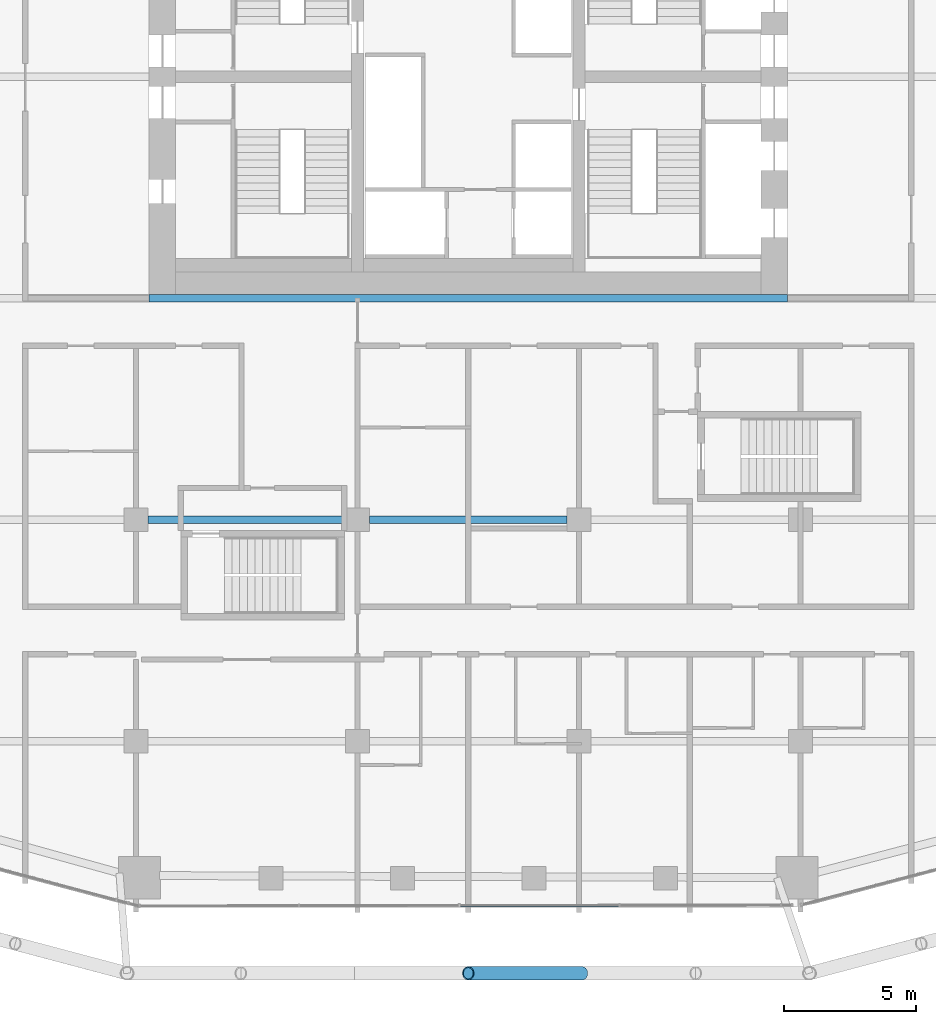
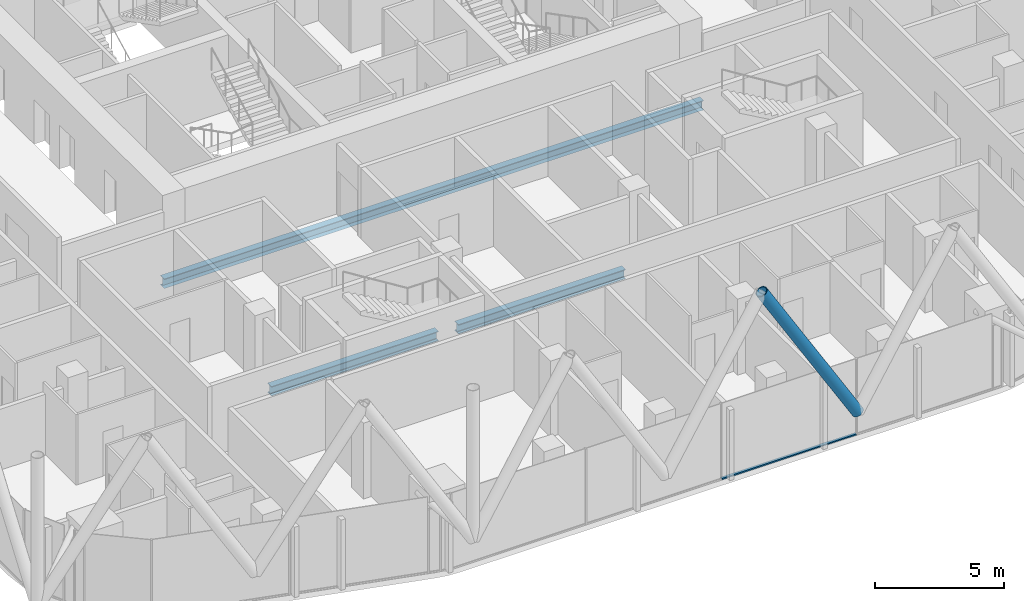
# One storey, part 5 of 33: 3 beams, 2 members, 1 element without a shape of its own.
"""IFC4 building model written with IfcOpenShell, lengths in metres."""

from ifc_helpers import new_model, si_unit, direction, frame, origin, origin_2d, place, context, subcontext, project, spatial, rectangle, hollow_circle, i_section, extrude, material, layer, layer_set, material_profile, profile_set, type_object, element, aggregate, save


model = new_model("IFC4")

# Units and contexts
model_context = context("Model", 3, precision=1e-05, world=origin(), true_north=direction((0.0, 1.0)))
body_context = subcontext(model_context, "Body", "Model", "MODEL_VIEW")
ifc_project = project(units=[si_unit("LENGTHUNIT", "METRE"), si_unit("AREAUNIT", "SQUARE_METRE"), si_unit("VOLUMEUNIT", "CUBIC_METRE"), si_unit("PLANEANGLEUNIT", "RADIAN"), si_unit("MASSUNIT", "GRAM", prefix="KILO")], contexts=[model_context])

# Site, building, storey
site_placement = place(None, origin())
site = spatial("IfcSite", under=ifc_project, at=site_placement, CompositionType="ELEMENT")
building_placement = place(site_placement, origin())
building = spatial("IfcBuilding", under=site, at=building_placement, Name="Marenta Gate Hotel Tower", CompositionType="ELEMENT")
storey_placement = place(building_placement, frame((0.0, 0.0, 137.300048828125)))
storey = spatial("IfcBuildingStorey", under=building, at=storey_placement, Name="L31", CompositionType="ELEMENT", Elevation=137.300048828125)

# Member
ifc_material_1 = material(Name="Steel S355J2W", Category="steel")
ifc_material_profile_1 = material_profile(ifc_material_1, hollow_circle(Radius=0.25390625, WallThickness=0.0400390625, at=origin_2d()), Name="CHS 508x40")
ifc_profile_set_1 = profile_set([ifc_material_profile_1], Name="Steel S355J2W")
member_type_1 = type_object("IfcMemberType", Name="Diagrid diagonal Z2 CHS 508x40", PredefinedType="BRACE", material=ifc_profile_set_1)
member_1_placement = place(storey_placement, frame((4.31298828125, -25.60009765625, 3.139892578125), z_axis=(-0.513883902774, 0.0, 0.857859740558), x_axis=(0.0, -1.0, 0.0)))
element("IfcMember", 1, at=member_1_placement, inside=storey, type_object=member_type_1, Name="L31-DG-17", PredefinedType="BRACE", context=body_context, shape_type="SweptSolid", body=[
    extrude(hollow_circle(Radius=0.25390625, WallThickness=0.0400390625, at=origin_2d()), origin(), (0.0, 0.0, 1.0), 8.392822265625),
])

# Beams
ifc_material_2 = material(Name="Steel S355", Category="steel")
ifc_material_profile_2 = material_profile(ifc_material_2, i_section(OverallWidth=0.300048828125, OverallDepth=0.449951171875, WebThickness=0.013916015625, FlangeThickness=0.02587890625, FilletRadius=0.027099609375, at=origin_2d()), Name="HEB 450")
ifc_profile_set_2 = profile_set([ifc_material_profile_2], Name="Steel S355")
beam_type = type_object("IfcBeamType", Name="Girder HEB 450", PredefinedType="BEAM", material=ifc_profile_set_2)
for number, where, z_axis, x_axis, name in (
    (2, (-12.14990234375, -8.39990234375, -0.485107421875), (1.0, 0.0, 0.0), (0.0, 1.0, 0.0), "L31-GD-10"),
    (3, (-3.75, -8.39990234375, -0.485107421875), (1.0, 0.0, 0.0), (0.0, 1.0, 0.0), "L31-GD-11"),
):
    element("IfcBeam", number, at=place(storey_placement, frame(where, z_axis=z_axis, x_axis=x_axis)), inside=storey, type_object=beam_type, Name=name, PredefinedType="BEAM", context=body_context, shape_type="SweptSolid", body=[
        extrude(i_section(OverallWidth=0.300048828125, OverallDepth=0.449951171875, WebThickness=0.013916015625, FlangeThickness=0.02587890625, FilletRadius=0.027099609375, at=origin_2d()), origin(), (0.0, 0.0, 1.0), 7.5),
    ])
beam_placement = place(storey_placement, frame((-12.10009765625, 0.0, -0.485107421875), z_axis=(1.0, 0.0, 0.0), x_axis=(0.0, 1.0, 0.0)))
element("IfcBeam", 4, at=beam_placement, inside=storey, type_object=beam_type, Name="L31-GD-17", PredefinedType="BEAM", context=body_context, shape_type="SweptSolid", body=[
    extrude(i_section(OverallWidth=0.300048828125, OverallDepth=0.449951171875, WebThickness=0.013916015625, FlangeThickness=0.02587890625, FilletRadius=0.027099609375, at=origin_2d()), origin(), (0.0, 0.0, 1.0), 24.2001953125),
])

# Curtain wall, member
ifc_material_3 = material(Name="Tinted insulated glass in bronze anodised frame", Category="glass")
ifc_layer = layer(ifc_material_3, 0.1201171875)
ifc_layer_set = layer_set([ifc_layer], Name="Tinted insulated glass in bronze anodised frame")
curtain_wall_type = type_object("IfcCurtainWallType", Name="Tower unitised curtain wall CW1", PredefinedType="NOTDEFINED", material=ifc_layer_set)
curtain_wall_placement = place(storey_placement, origin())
curtain_wall = element("IfcCurtainWall", 5, at=curtain_wall_placement, inside=storey, type_object=curtain_wall_type, Name="CW1 run G12", PredefinedType="NOTDEFINED")
ifc_material_4 = material(Name="Bronze anodised aluminium", Category="aluminium")
ifc_material_profile_3 = material_profile(ifc_material_4, rectangle(XDim=0.1201171875, YDim=0.06005859375, at=origin_2d()), Name="Transom CW1 60x120 bronze anodised aluminium")
ifc_profile_set_3 = profile_set([ifc_material_profile_3], Name="Bronze anodised aluminium")
member_type_2 = type_object("IfcMemberType", Name="Transom CW1 60x120 bronze anodised aluminium", PredefinedType="USERDEFINED", material=ifc_profile_set_3)
member_2_placement = place(storey_placement, frame((-0.31201171875, -23.03076171875, 0.030029296875), z_axis=(0.999999104975, 0.001337927041, 0.0), x_axis=(-0.001337927041, 0.999999104975, 0.0)))
member_2 = element("IfcMember", 6, at=member_2_placement, type_object=member_type_2, Name="CW1 transom 3.1", ObjectType="TRANSOM", PredefinedType="USERDEFINED", context=body_context, shape_type="SweptSolid", body=[
    extrude(rectangle(XDim=0.1201171875, YDim=0.06005859375, at=origin_2d()), origin(), (0.0, 0.0, 1.0), 6.021728515625),
])
aggregate(curtain_wall, [member_2])

save(model, "model.ifc")
